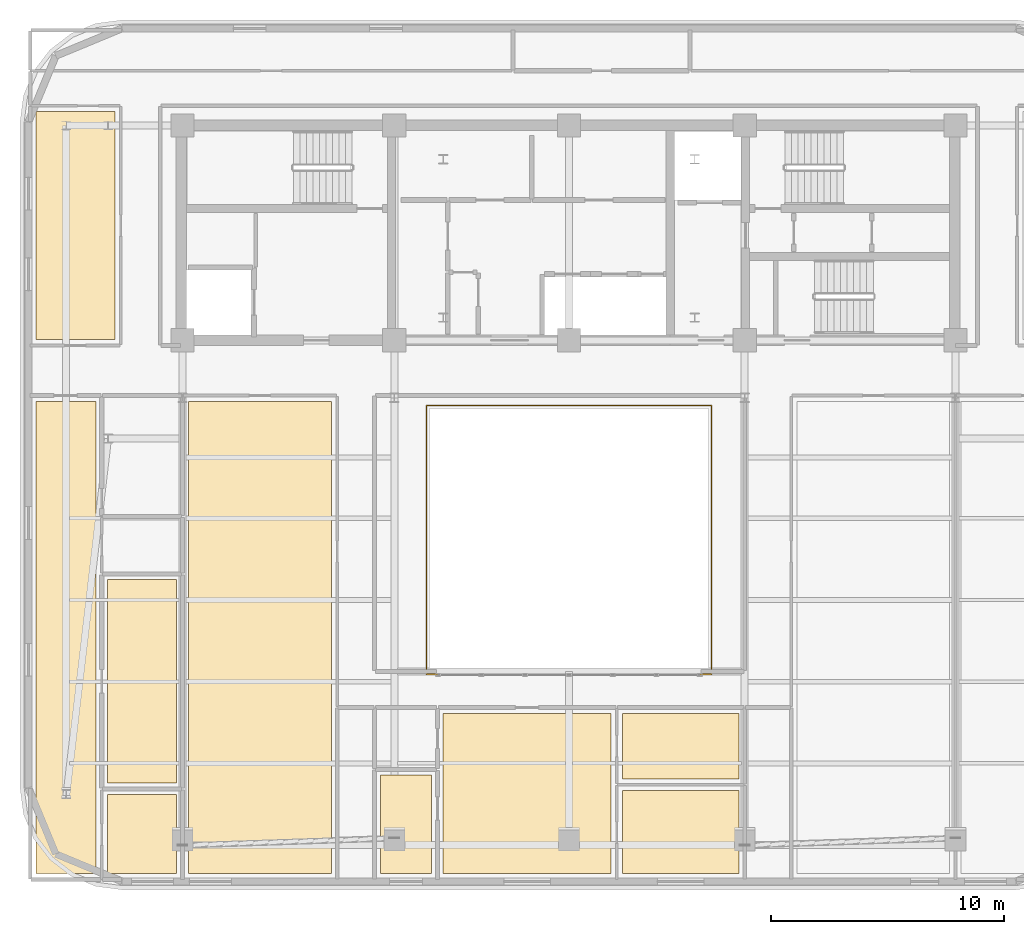
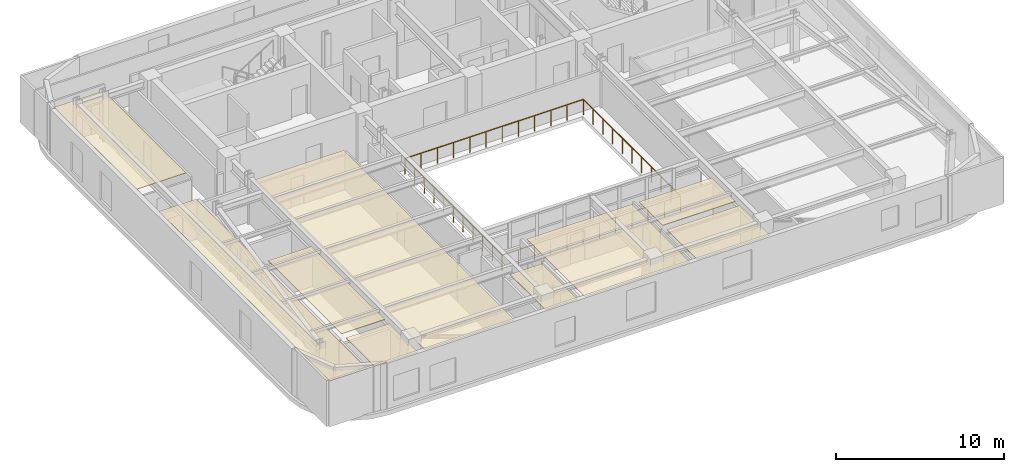
# One storey, part 11 of 14: 9 coverings, 1 railing.
"""IFC4 building model written with IfcOpenShell, lengths in metres."""

from ifc_helpers import new_model, si_unit, direction, frame, origin, origin_2d, place, context, subcontext, project, spatial, polyline, rectangle, outline, extrude, material, layer, layer_set, type_object, element, save


model = new_model("IFC4")

# Units and contexts
model_context = context("Model", 3, precision=1e-05, world=origin(), true_north=direction((0.0, 1.0)))
body_context = subcontext(model_context, "Body", "Model", "MODEL_VIEW")
ifc_project = project(units=[si_unit("LENGTHUNIT", "METRE"), si_unit("AREAUNIT", "SQUARE_METRE"), si_unit("VOLUMEUNIT", "CUBIC_METRE"), si_unit("PLANEANGLEUNIT", "RADIAN"), si_unit("MASSUNIT", "GRAM", prefix="KILO")], contexts=[model_context])

# Site, building, storey
site_placement = place(None, origin())
site = spatial("IfcSite", under=ifc_project, at=site_placement, CompositionType="ELEMENT")
building_placement = place(site_placement, origin())
building = spatial("IfcBuilding", under=site, at=building_placement, Name="Zarnavel Station Tower", CompositionType="ELEMENT")
storey_placement = place(building_placement, frame((0.0, 0.0, 218.39990234375)))
storey = spatial("IfcBuildingStorey", under=building, at=storey_placement, Name="L59", CompositionType="ELEMENT", Elevation=218.39990234375)

# Coverings
ifc_material_1 = material(Name="Perforated Gypsum and Mineral-Wool Acoustic Ceiling", Category="concrete")
ifc_layer = layer(ifc_material_1, 0.0400390625)
ifc_layer_set = layer_set([ifc_layer], Name="COV_CEIL_ACOUSTIC")
covering_type = type_object("IfcCoveringType", Name="COV_CEIL_ACOUSTIC", PredefinedType="CEILING", material=ifc_layer_set)
covering_1_placement = place(storey_placement, frame((0.0, 0.0, 3.02001953125)))
element("IfcCovering", 1, at=covering_1_placement, inside=storey, type_object=covering_type, Name="L59 FNW Acoustic Ceiling", PredefinedType="CEILING", context=body_context, shape_type="SweptSolid", body=[
    extrude(outline(polyline([(5.909912109375, 27.85009765625), (9.300048828125, 27.85009765625), (9.300048828125, 37.64990234375), (5.909912109375, 37.64990234375), (5.909912109375, 27.85009765625)])), origin(), (0.0, 0.0, 1.0), 0.0400390625),
])
covering_2_placement = place(storey_placement, frame((0.0, 0.0, 3.02001953125)))
element("IfcCovering", 2, at=covering_2_placement, inside=storey, type_object=covering_type, Name="L59 UW1LV Acoustic Ceiling", PredefinedType="CEILING", context=body_context, shape_type="SweptSolid", body=[
    extrude(outline(polyline([(5.909912109375, 4.909912109375), (8.48388671875, 4.909912109375), (8.48388671875, 25.199951171875), (5.909912109375, 25.199951171875), (5.909912109375, 4.909912109375)])), origin(), (0.0, 0.0, 1.0), 0.0400390625),
])
covering_3_placement = place(storey_placement, frame((0.0, 0.0, 3.02001953125)))
element("IfcCovering", 3, at=covering_3_placement, inside=storey, type_object=covering_type, Name="L59 UW1B1 Acoustic Ceiling", PredefinedType="CEILING", context=body_context, shape_type="SweptSolid", body=[
    extrude(outline(polyline([(8.98388671875, 4.909912109375), (11.949951171875, 4.909912109375), (11.949951171875, 8.304931640625), (8.98388671875, 8.304931640625), (8.98388671875, 4.909912109375)])), origin(), (0.0, 0.0, 1.0), 0.0400390625),
])
covering_4_placement = place(storey_placement, frame((0.0, 0.0, 3.02001953125)))
element("IfcCovering", 4, at=covering_4_placement, inside=storey, type_object=covering_type, Name="L59 UW1KT Acoustic Ceiling", PredefinedType="CEILING", context=body_context, shape_type="SweptSolid", body=[
    extrude(outline(polyline([(8.98388671875, 8.804931640625), (11.949951171875, 8.804931640625), (11.949951171875, 17.5380859375), (8.98388671875, 17.5380859375), (8.98388671875, 8.804931640625)])), origin(), (0.0, 0.0, 1.0), 0.0400390625),
])
covering_5_placement = place(storey_placement, frame((0.0, 0.0, 3.02001953125)))
element("IfcCovering", 5, at=covering_5_placement, inside=storey, type_object=covering_type, Name="L59 L59LIB Acoustic Ceiling", PredefinedType="CEILING", context=body_context, shape_type="SweptSolid", body=[
    extrude(outline(polyline([(12.449951171875, 4.909912109375), (18.60009765625, 4.909912109375), (18.60009765625, 25.199951171875), (12.449951171875, 25.199951171875), (12.449951171875, 4.909912109375)])), origin(), (0.0, 0.0, 1.0), 0.0400390625),
])
covering_6_placement = place(storey_placement, frame((0.0, 0.0, 3.02001953125)))
element("IfcCovering", 6, at=covering_6_placement, inside=storey, type_object=covering_type, Name="L59 US1LV Acoustic Ceiling", PredefinedType="CEILING", context=body_context, shape_type="SweptSolid", body=[
    extrude(outline(polyline([(23.39990234375, 4.909912109375), (30.60009765625, 4.909912109375), (30.60009765625, 11.800048828125), (23.39990234375, 11.800048828125), (23.39990234375, 4.909912109375)])), origin(), (0.0, 0.0, 1.0), 0.0400390625),
])
covering_7_placement = place(storey_placement, frame((0.0, 0.0, 3.02001953125)))
element("IfcCovering", 7, at=covering_7_placement, inside=storey, type_object=covering_type, Name="L59 US1KT Acoustic Ceiling", PredefinedType="CEILING", context=body_context, shape_type="SweptSolid", body=[
    extrude(outline(polyline([(20.699951171875, 4.909912109375), (22.89990234375, 4.909912109375), (22.89990234375, 9.139892578125), (20.699951171875, 9.139892578125), (20.699951171875, 4.909912109375)])), origin(), (0.0, 0.0, 1.0), 0.0400390625),
])
covering_8_placement = place(storey_placement, frame((0.0, 0.0, 3.02001953125)))
element("IfcCovering", 8, at=covering_8_placement, inside=storey, type_object=covering_type, Name="L59 US1B1 Acoustic Ceiling", PredefinedType="CEILING", context=body_context, shape_type="SweptSolid", body=[
    extrude(outline(polyline([(31.10009765625, 4.909912109375), (36.10009765625, 4.909912109375), (36.10009765625, 8.485107421875), (31.10009765625, 8.485107421875), (31.10009765625, 4.909912109375)])), origin(), (0.0, 0.0, 1.0), 0.0400390625),
])
covering_9_placement = place(storey_placement, frame((0.0, 0.0, 3.02001953125)))
element("IfcCovering", 9, at=covering_9_placement, inside=storey, type_object=covering_type, Name="L59 US1B2 Acoustic Ceiling", PredefinedType="CEILING", context=body_context, shape_type="SweptSolid", body=[
    extrude(outline(polyline([(31.10009765625, 8.985107421875), (36.10009765625, 8.985107421875), (36.10009765625, 11.800048828125), (31.10009765625, 11.800048828125), (31.10009765625, 8.985107421875)])), origin(), (0.0, 0.0, 1.0), 0.0400390625),
])

# Railing
ifc_material_2 = material(Name="Painted Steel S355J2 Balustrade", Category="steel")
railing_type = type_object("IfcRailingType", Name="GR_INT_1150", PredefinedType="GUARDRAIL", material=ifc_material_2)
railing_placement = place(storey_placement, frame((22.679931640625, 13.47998046875, 0.0)))
element("IfcRailing", 10, at=railing_placement, inside=storey, type_object=railing_type, Name="L59 Atrium Void Guardrail", PredefinedType="GUARDRAIL", context=body_context, shape_type="SweptSolid", body=[
    extrude(rectangle(XDim=0.048095703125, YDim=0.048095703125, at=origin_2d()), frame((0.001953125, 0.0, 1.1259765625), z_axis=(1.0, 0.0, 0.0), x_axis=(0.0, 1.0, 0.0)), (0.0, 0.0, 1.0), 12.236083984375),
    extrude(rectangle(XDim=0.048095703125, YDim=0.048095703125, at=origin_2d()), frame((12.239990234375, 0.001953125, 1.1259765625), z_axis=(0.0, 1.0, 0.0), x_axis=(-1.0, 0.0, 0.0)), (0.0, 0.0, 1.0), 11.5361328125),
    extrude(rectangle(XDim=0.048095703125, YDim=0.048095703125, at=origin_2d()), frame((12.238037109375, 11.5400390625, 1.1259765625), z_axis=(-1.0, 0.0, 0.0), x_axis=(0.0, -1.0, 0.0)), (0.0, 0.0, 1.0), 12.236083984375),
    extrude(rectangle(XDim=0.048095703125, YDim=0.048095703125, at=origin_2d()), frame((0.0, 11.5380859375, 1.1259765625), z_axis=(0.0, -1.0, 0.0), x_axis=(1.0, 0.0, 0.0)), (0.0, 0.0, 1.0), 11.5361328125),
    extrude(rectangle(XDim=0.0419921875, YDim=0.0419921875, at=origin_2d()), origin(), (0.0, 0.0, 1.0), 1.101806640625),
    extrude(rectangle(XDim=0.0419921875, YDim=0.0419921875, at=origin_2d()), frame((1.11279296875, 0.0, 0.0)), (0.0, 0.0, 1.0), 1.101806640625),
    extrude(rectangle(XDim=0.0419921875, YDim=0.0419921875, at=origin_2d()), frame((2.225341796875, 0.0, 0.0)), (0.0, 0.0, 1.0), 1.101806640625),
    extrude(rectangle(XDim=0.0419921875, YDim=0.0419921875, at=origin_2d()), frame((3.338134765625, 0.0, 0.0)), (0.0, 0.0, 1.0), 1.101806640625),
    extrude(rectangle(XDim=0.0419921875, YDim=0.0419921875, at=origin_2d()), frame((4.450927734375, 0.0, 0.0)), (0.0, 0.0, 1.0), 1.101806640625),
    extrude(rectangle(XDim=0.0419921875, YDim=0.0419921875, at=origin_2d()), frame((5.563720703125, 0.0, 0.0)), (0.0, 0.0, 1.0), 1.101806640625),
    extrude(rectangle(XDim=0.0419921875, YDim=0.0419921875, at=origin_2d()), frame((6.67626953125, 0.0, 0.0)), (0.0, 0.0, 1.0), 1.101806640625),
    extrude(rectangle(XDim=0.0419921875, YDim=0.0419921875, at=origin_2d()), frame((7.7890625, 0.0, 0.0)), (0.0, 0.0, 1.0), 1.101806640625),
    extrude(rectangle(XDim=0.0419921875, YDim=0.0419921875, at=origin_2d()), frame((8.90185546875, 0.0, 0.0)), (0.0, 0.0, 1.0), 1.101806640625),
    extrude(rectangle(XDim=0.0419921875, YDim=0.0419921875, at=origin_2d()), frame((10.0146484375, 0.0, 0.0)), (0.0, 0.0, 1.0), 1.101806640625),
    extrude(rectangle(XDim=0.0419921875, YDim=0.0419921875, at=origin_2d()), frame((11.127197265625, 0.0, 0.0)), (0.0, 0.0, 1.0), 1.101806640625),
    extrude(rectangle(XDim=0.0419921875, YDim=0.0419921875, at=origin_2d()), frame((12.239990234375, 0.0, 0.0)), (0.0, 0.0, 1.0), 1.101806640625),
    extrude(rectangle(XDim=0.0419921875, YDim=0.0419921875, at=origin_2d()), frame((12.239990234375, 1.154052734375, 0.0)), (0.0, 0.0, 1.0), 1.101806640625),
    extrude(rectangle(XDim=0.0419921875, YDim=0.0419921875, at=origin_2d()), frame((12.239990234375, 2.30810546875, 0.0)), (0.0, 0.0, 1.0), 1.101806640625),
    extrude(rectangle(XDim=0.0419921875, YDim=0.0419921875, at=origin_2d()), frame((12.239990234375, 3.4619140625, 0.0)), (0.0, 0.0, 1.0), 1.101806640625),
    extrude(rectangle(XDim=0.0419921875, YDim=0.0419921875, at=origin_2d()), frame((12.239990234375, 4.615966796875, 0.0)), (0.0, 0.0, 1.0), 1.101806640625),
    extrude(rectangle(XDim=0.0419921875, YDim=0.0419921875, at=origin_2d()), frame((12.239990234375, 5.77001953125, 0.0)), (0.0, 0.0, 1.0), 1.101806640625),
    extrude(rectangle(XDim=0.0419921875, YDim=0.0419921875, at=origin_2d()), frame((12.239990234375, 6.924072265625, 0.0)), (0.0, 0.0, 1.0), 1.101806640625),
    extrude(rectangle(XDim=0.0419921875, YDim=0.0419921875, at=origin_2d()), frame((12.239990234375, 8.078125, 0.0)), (0.0, 0.0, 1.0), 1.101806640625),
    extrude(rectangle(XDim=0.0419921875, YDim=0.0419921875, at=origin_2d()), frame((12.239990234375, 9.23193359375, 0.0)), (0.0, 0.0, 1.0), 1.101806640625),
    extrude(rectangle(XDim=0.0419921875, YDim=0.0419921875, at=origin_2d()), frame((12.239990234375, 10.385986328125, 0.0)), (0.0, 0.0, 1.0), 1.101806640625),
    extrude(rectangle(XDim=0.0419921875, YDim=0.0419921875, at=origin_2d()), frame((12.239990234375, 11.5400390625, 0.0)), (0.0, 0.0, 1.0), 1.101806640625),
    extrude(rectangle(XDim=0.0419921875, YDim=0.0419921875, at=origin_2d()), frame((11.127197265625, 11.5400390625, 0.0)), (0.0, 0.0, 1.0), 1.101806640625),
    extrude(rectangle(XDim=0.0419921875, YDim=0.0419921875, at=origin_2d()), frame((10.0146484375, 11.5400390625, 0.0)), (0.0, 0.0, 1.0), 1.101806640625),
    extrude(rectangle(XDim=0.0419921875, YDim=0.0419921875, at=origin_2d()), frame((8.90185546875, 11.5400390625, 0.0)), (0.0, 0.0, 1.0), 1.101806640625),
    extrude(rectangle(XDim=0.0419921875, YDim=0.0419921875, at=origin_2d()), frame((7.7890625, 11.5400390625, 0.0)), (0.0, 0.0, 1.0), 1.101806640625),
    extrude(rectangle(XDim=0.0419921875, YDim=0.0419921875, at=origin_2d()), frame((6.67626953125, 11.5400390625, 0.0)), (0.0, 0.0, 1.0), 1.101806640625),
    extrude(rectangle(XDim=0.0419921875, YDim=0.0419921875, at=origin_2d()), frame((5.563720703125, 11.5400390625, 0.0)), (0.0, 0.0, 1.0), 1.101806640625),
    extrude(rectangle(XDim=0.0419921875, YDim=0.0419921875, at=origin_2d()), frame((4.450927734375, 11.5400390625, 0.0)), (0.0, 0.0, 1.0), 1.101806640625),
    extrude(rectangle(XDim=0.0419921875, YDim=0.0419921875, at=origin_2d()), frame((3.338134765625, 11.5400390625, 0.0)), (0.0, 0.0, 1.0), 1.101806640625),
    extrude(rectangle(XDim=0.0419921875, YDim=0.0419921875, at=origin_2d()), frame((2.225341796875, 11.5400390625, 0.0)), (0.0, 0.0, 1.0), 1.101806640625),
    extrude(rectangle(XDim=0.0419921875, YDim=0.0419921875, at=origin_2d()), frame((1.11279296875, 11.5400390625, 0.0)), (0.0, 0.0, 1.0), 1.101806640625),
    extrude(rectangle(XDim=0.0419921875, YDim=0.0419921875, at=origin_2d()), frame((0.0, 11.5400390625, 0.0)), (0.0, 0.0, 1.0), 1.101806640625),
    extrude(rectangle(XDim=0.0419921875, YDim=0.0419921875, at=origin_2d()), frame((0.0, 10.385986328125, 0.0)), (0.0, 0.0, 1.0), 1.101806640625),
    extrude(rectangle(XDim=0.0419921875, YDim=0.0419921875, at=origin_2d()), frame((0.0, 9.23193359375, 0.0)), (0.0, 0.0, 1.0), 1.101806640625),
    extrude(rectangle(XDim=0.0419921875, YDim=0.0419921875, at=origin_2d()), frame((0.0, 8.078125, 0.0)), (0.0, 0.0, 1.0), 1.101806640625),
    extrude(rectangle(XDim=0.0419921875, YDim=0.0419921875, at=origin_2d()), frame((0.0, 6.924072265625, 0.0)), (0.0, 0.0, 1.0), 1.101806640625),
    extrude(rectangle(XDim=0.0419921875, YDim=0.0419921875, at=origin_2d()), frame((0.0, 5.77001953125, 0.0)), (0.0, 0.0, 1.0), 1.101806640625),
    extrude(rectangle(XDim=0.0419921875, YDim=0.0419921875, at=origin_2d()), frame((0.0, 4.615966796875, 0.0)), (0.0, 0.0, 1.0), 1.101806640625),
    extrude(rectangle(XDim=0.0419921875, YDim=0.0419921875, at=origin_2d()), frame((0.0, 3.4619140625, 0.0)), (0.0, 0.0, 1.0), 1.101806640625),
    extrude(rectangle(XDim=0.0419921875, YDim=0.0419921875, at=origin_2d()), frame((0.0, 2.30810546875, 0.0)), (0.0, 0.0, 1.0), 1.101806640625),
    extrude(rectangle(XDim=0.0419921875, YDim=0.0419921875, at=origin_2d()), frame((0.0, 1.154052734375, 0.0)), (0.0, 0.0, 1.0), 1.101806640625),
])

save(model, "model.ifc")
